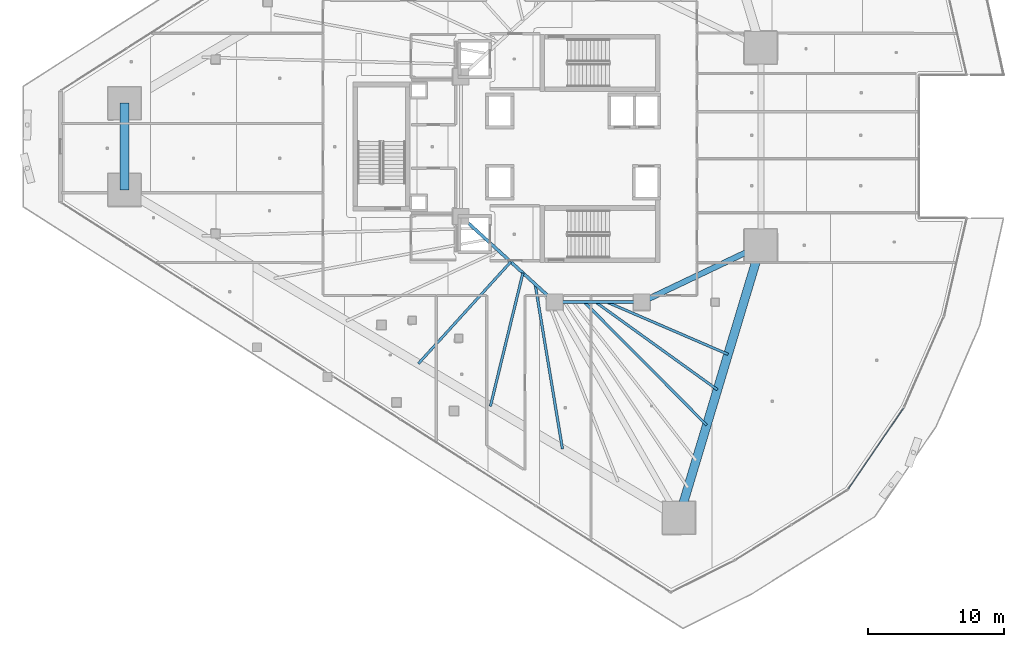
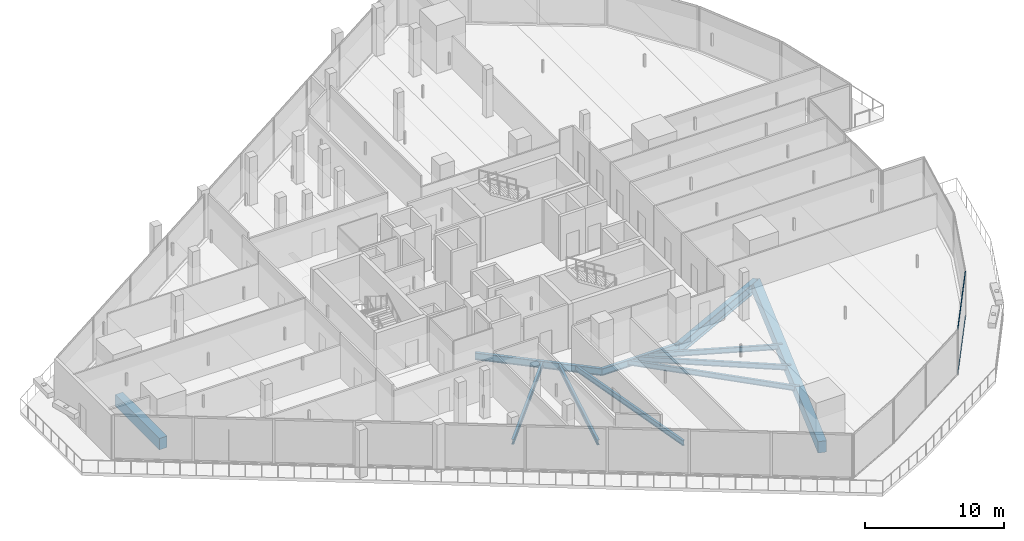
# One storey, part 11 of 44: 11 beams, 2 members, 1 element without a shape of its own.
"""IFC4 building model written with IfcOpenShell, lengths in metres."""

from ifc_helpers import new_model, si_unit, direction, frame, origin, origin_2d, place, context, subcontext, project, spatial, rectangle, hollow_rectangle, i_section, extrude, material, layer, layer_set, material_profile, profile_set, type_object, element, aggregate, save


model = new_model("IFC4")

# Units and contexts
model_context = context("Model", 3, precision=1e-05, world=origin(), true_north=direction((0.0, 1.0)))
body_context = subcontext(model_context, "Body", "Model", "MODEL_VIEW")
ifc_project = project(units=[si_unit("LENGTHUNIT", "METRE"), si_unit("AREAUNIT", "SQUARE_METRE"), si_unit("VOLUMEUNIT", "CUBIC_METRE"), si_unit("PLANEANGLEUNIT", "RADIAN"), si_unit("MASSUNIT", "GRAM", prefix="KILO")], contexts=[model_context])

# Site, building, storey
site_placement = place(None, origin())
site = spatial("IfcSite", under=ifc_project, at=site_placement, CompositionType="ELEMENT")
building_placement = place(site_placement, origin())
building = spatial("IfcBuilding", under=site, at=building_placement, Name="Qorvath Tower", CompositionType="ELEMENT")
storey_placement = place(building_placement, frame((0.0, 0.0, 57.60009765625)))
storey = spatial("IfcBuildingStorey", under=building, at=storey_placement, Name="L12", CompositionType="ELEMENT", Elevation=57.60009765625)

# Beams
ifc_material_1 = material(Name="Steel ASTM A992 Grade 50", Category="steel")
ifc_material_profile_1 = material_profile(ifc_material_1, i_section(OverallWidth=0.422119140625, OverallDepth=0.93310546875, WebThickness=0.021240234375, FlangeThickness=0.039794921875, FilletRadius=0.02392578125, at=origin_2d()), Name="W36x262")
ifc_profile_set_1 = profile_set([ifc_material_profile_1], Name="Steel ASTM A992 Grade 50")
beam_type_1 = type_object("IfcBeamType", Name="BM-FG1", PredefinedType="BEAM", material=ifc_profile_set_1)
beam_1_placement = place(storey_placement, frame((-17.199951171875, -11.449951171875, -0.74658203125), z_axis=(0.902955751435, 0.429733534821, 0.0), x_axis=(-0.429733534821, 0.902955751435, 0.0)))
element("IfcBeam", 1, at=beam_1_placement, inside=storey, type_object=beam_type_1, Name="Radial Floor Girder CC3-MC4 L12", PredefinedType="BEAM", context=body_context, shape_type="SweptSolid", body=[
    extrude(i_section(OverallWidth=0.422119140625, OverallDepth=0.93310546875, WebThickness=0.021240234375, FlangeThickness=0.039794921875, FilletRadius=0.02392578125, at=origin_2d()), origin(), (0.0, 0.0, 1.0), 9.7119140625),
])
ifc_material_2 = material(Name="Steel ASTM A992 Grade 50", Category="steel")
ifc_material_profile_2 = material_profile(ifc_material_2, i_section(OverallWidth=0.22998046875, OverallDepth=0.616943359375, WebThickness=0.01318359375, FlangeThickness=0.022216796875, FilletRadius=0.014892578125, at=origin_2d()), Name="W24x94")
ifc_profile_set_2 = profile_set([ifc_material_profile_2], Name="Steel ASTM A992 Grade 50")
beam_type_2 = type_object("IfcBeamType", Name="BM-FG6", PredefinedType="BEAM", material=ifc_profile_set_2)
beam_2_placement = place(storey_placement, frame((-17.199951171875, -11.449951171875, -0.58837890625), z_axis=(-1.0, 0.0, 0.0), x_axis=(0.0, -1.0, 0.0)))
element("IfcBeam", 2, at=beam_2_placement, inside=storey, type_object=beam_type_2, Name="Core Ring Girder CC3-CC4 L12", PredefinedType="BEAM", context=body_context, shape_type="SweptSolid", body=[
    extrude(i_section(OverallWidth=0.22998046875, OverallDepth=0.616943359375, WebThickness=0.01318359375, FlangeThickness=0.022216796875, FilletRadius=0.014892578125, at=origin_2d()), origin(), (0.0, 0.0, 1.0), 6.400146484375),
])
beam_3_placement = place(storey_placement, frame((-23.60009765625, -11.449951171875, -0.58837890625), z_axis=(-0.73847813985, 0.6742774184, 0.0), x_axis=(-0.6742774184, -0.73847813985, 0.0)))
element("IfcBeam", 3, at=beam_3_placement, inside=storey, type_object=beam_type_2, Name="Core Ring Girder CC4-CC6 L12", PredefinedType="BEAM", context=body_context, shape_type="SweptSolid", body=[
    extrude(i_section(OverallWidth=0.22998046875, OverallDepth=0.616943359375, WebThickness=0.01318359375, FlangeThickness=0.022216796875, FilletRadius=0.014892578125, at=origin_2d()), origin(), (0.0, 0.0, 1.0), 9.343505859375),
])
ifc_material_3 = material(Name="Steel ASTM A992 Grade 50", Category="steel")
ifc_material_profile_3 = material_profile(ifc_material_3, i_section(OverallWidth=0.18994140625, OverallDepth=0.45703125, WebThickness=0.009033203125, FlangeThickness=0.014404296875, FilletRadius=0.011962890625, at=origin_2d()), Name="W18x50")
ifc_profile_set_3 = profile_set([ifc_material_profile_3], Name="Steel ASTM A992 Grade 50")
beam_type_3 = type_object("IfcBeamType", Name="BM-FJ2", PredefinedType="JOIST", material=ifc_profile_set_3)
beam_4_placement = place(storey_placement, frame((-19.760009765625, -11.449951171875, -0.508544921875), z_axis=(0.918135537923, -0.396266493667, 0.0), x_axis=(0.396266493667, 0.918135537923, 0.0)))
element("IfcBeam", 4, at=beam_4_placement, inside=storey, type_object=beam_type_3, Name="Composite Floor Joist SE3 L12", PredefinedType="JOIST", context=body_context, shape_type="SweptSolid", body=[
    extrude(i_section(OverallWidth=0.18994140625, OverallDepth=0.45703125, WebThickness=0.009033203125, FlangeThickness=0.014404296875, FilletRadius=0.011962890625, at=origin_2d()), origin(), (0.0, 0.0, 1.0), 9.7109375),
])
beam_5_placement = place(storey_placement, frame((-20.592041015625, -11.449951171875, -0.508544921875), z_axis=(0.811469358397, -0.584394969505, 0.0), x_axis=(0.584394969505, 0.811469358397, 0.0)))
element("IfcBeam", 5, at=beam_5_placement, inside=storey, type_object=beam_type_3, Name="Composite Floor Joist SE4 L12", PredefinedType="JOIST", context=body_context, shape_type="SweptSolid", body=[
    extrude(i_section(OverallWidth=0.18994140625, OverallDepth=0.45703125, WebThickness=0.009033203125, FlangeThickness=0.014404296875, FilletRadius=0.011962890625, at=origin_2d()), origin(), (0.0, 0.0, 1.0), 11.046142578125),
])
beam_6_placement = place(storey_placement, frame((-21.424072265625, -11.449951171875, -0.508544921875), z_axis=(0.705107654599, -0.709100271771, 0.0), x_axis=(0.709100271771, 0.705107654599, 0.0)))
element("IfcBeam", 6, at=beam_6_placement, inside=storey, type_object=beam_type_3, Name="Composite Floor Joist SE5 L12", PredefinedType="JOIST", context=body_context, shape_type="SweptSolid", body=[
    extrude(i_section(OverallWidth=0.18994140625, OverallDepth=0.45703125, WebThickness=0.009033203125, FlangeThickness=0.014404296875, FilletRadius=0.011962890625, at=origin_2d()), origin(), (0.0, 0.0, 1.0), 12.780029296875),
])
beam_7_placement = place(storey_placement, frame((-26.843017578125, -8.489013671875, -0.508544921875), z_axis=(-0.672128980215, -0.740434084815, 0.0), x_axis=(0.740434084815, -0.672128980215, 0.0)))
element("IfcBeam", 7, at=beam_7_placement, inside=storey, type_object=beam_type_3, Name="Composite Floor Joist SW4 L12", PredefinedType="JOIST", context=body_context, shape_type="SweptSolid", body=[
    extrude(i_section(OverallWidth=0.18994140625, OverallDepth=0.45703125, WebThickness=0.009033203125, FlangeThickness=0.014404296875, FilletRadius=0.011962890625, at=origin_2d()), origin(), (0.0, 0.0, 1.0), 10.1259765625),
])
beam_8_placement = place(storey_placement, frame((-25.946044921875, -9.30810546875, -0.508544921875), z_axis=(-0.237165308581, -0.97146930801, 0.0), x_axis=(0.97146930801, -0.237165308581, 0.0)))
element("IfcBeam", 8, at=beam_8_placement, inside=storey, type_object=beam_type_3, Name="Composite Floor Joist SW5 L12", PredefinedType="JOIST", context=body_context, shape_type="SweptSolid", body=[
    extrude(i_section(OverallWidth=0.18994140625, OverallDepth=0.45703125, WebThickness=0.009033203125, FlangeThickness=0.014404296875, FilletRadius=0.011962890625, at=origin_2d()), origin(), (0.0, 0.0, 1.0), 10.104736328125),
])
beam_9_placement = place(storey_placement, frame((-25.049072265625, -10.126953125, -0.508544921875), z_axis=(0.163639384475, -0.98652022374, 0.0), x_axis=(0.98652022374, 0.163639384475, 0.0)))
element("IfcBeam", 9, at=beam_9_placement, inside=storey, type_object=beam_type_3, Name="Composite Floor Joist SW6 L12", PredefinedType="JOIST", context=body_context, shape_type="SweptSolid", body=[
    extrude(i_section(OverallWidth=0.18994140625, OverallDepth=0.45703125, WebThickness=0.009033203125, FlangeThickness=0.014404296875, FilletRadius=0.011962890625, at=origin_2d()), origin(), (0.0, 0.0, 1.0), 12.301025390625),
])
ifc_material_4 = material(Name="Concrete C50/60", Category="concrete")
ifc_material_profile_4 = material_profile(ifc_material_4, rectangle(XDim=0.64990234375, YDim=1.0, at=origin_2d()), Name="RCB 1000x650")
ifc_profile_set_4 = profile_set([ifc_material_profile_4], Name="Concrete C50/60")
beam_type_4 = type_object("IfcBeamType", Name="BM-RCB1", PredefinedType="SPANDREL", material=ifc_profile_set_4)
beam_10_placement = place(storey_placement, frame((-55.282958984375, 3.194580078125, -0.780029296875), z_axis=(0.0, -1.0, 0.0), x_axis=(1.0, 0.0, 0.0)))
element("IfcBeam", 10, at=beam_10_placement, inside=storey, type_object=beam_type_4, Name="Perimeter Loggia Frame Beam MC1-MC2 L12", PredefinedType="SPANDREL", context=body_context, shape_type="SweptSolid", body=[
    extrude(rectangle(XDim=0.64990234375, YDim=1.0, at=origin_2d()), origin(), (0.0, 0.0, 1.0), 6.38916015625),
])
beam_11_placement = place(storey_placement, frame((-14.46435546875, -27.330810546875, -0.780029296875), z_axis=(0.288118908799, 0.957594639914, 0.0), x_axis=(-0.957594639914, 0.288118908799, 0.0)))
element("IfcBeam", 11, at=beam_11_placement, inside=storey, type_object=beam_type_4, Name="Perimeter Loggia Frame Beam MC3-MC4 L12", PredefinedType="SPANDREL", context=body_context, shape_type="SweptSolid", body=[
    extrude(rectangle(XDim=0.64990234375, YDim=1.0, at=origin_2d()), origin(), (0.0, 0.0, 1.0), 20.942626953125),
])

# Curtain wall, members
ifc_material_5 = material(Name="Anodised aluminium and triple low-E glass", Category="aluminium")
ifc_layer = layer(ifc_material_5, 0.179931640625)
ifc_layer_set = layer_set([ifc_layer], Name="CW-SYS-2")
curtain_wall_type = type_object("IfcCurtainWallType", Name="CW-SYS-2", PredefinedType="NOTDEFINED", material=ifc_layer_set)
curtain_wall_placement = place(storey_placement, origin())
curtain_wall = element("IfcCurtainWall", 12, at=curtain_wall_placement, inside=storey, type_object=curtain_wall_type, Name="Curtain Wall CW-2 CW-T-L12-5.1", PredefinedType="NOTDEFINED")
ifc_material_6 = material(Name="Anodised aluminium 6063-T6", Category="aluminium")
ifc_material_profile_5 = material_profile(ifc_material_6, hollow_rectangle(XDim=0.06494140625, YDim=0.159912109375, WallThickness=0.00341796875, InnerFilletRadius=0.00341796875, OuterFilletRadius=0.007080078125, at=origin_2d()), Name="CWT 160x65")
ifc_profile_set_5 = profile_set([ifc_material_profile_5], Name="Anodised aluminium 6063-T6")
member_type = type_object("IfcMemberType", Name="CWT-160", PredefinedType="USERDEFINED", material=ifc_profile_set_5)
member_1_placement = place(storey_placement, frame((-1.99365234375, -25.22021484375, 0.032470703125), z_axis=(0.563963891328, 0.825799448582, 0.0), x_axis=(-0.825799448582, 0.563963891328, 0.0)))
member_1 = element("IfcMember", 13, at=member_1_placement, type_object=member_type, Name="CW-2 transom 1.1", ObjectType="TRANSOM", PredefinedType="USERDEFINED", context=body_context, shape_type="SweptSolid", body=[
    extrude(hollow_rectangle(XDim=0.06494140625, YDim=0.159912109375, WallThickness=0.00341796875, InnerFilletRadius=0.00341796875, OuterFilletRadius=0.007080078125, at=origin_2d()), origin(), (0.0, 0.0, 1.0), 7.234619140625),
])
member_2_placement = place(storey_placement, frame((-1.99365234375, -25.22021484375, 3.887451171875), z_axis=(0.563963891328, 0.825799448582, 0.0), x_axis=(-0.825799448582, 0.563963891328, 0.0)))
member_2 = element("IfcMember", 14, at=member_2_placement, type_object=member_type, Name="CW-2 transom 1.2", ObjectType="TRANSOM", PredefinedType="USERDEFINED", context=body_context, shape_type="SweptSolid", body=[
    extrude(hollow_rectangle(XDim=0.06494140625, YDim=0.159912109375, WallThickness=0.00341796875, InnerFilletRadius=0.00341796875, OuterFilletRadius=0.007080078125, at=origin_2d()), origin(), (0.0, 0.0, 1.0), 7.234619140625),
])
aggregate(curtain_wall, [member_1, member_2])

save(model, "model.ifc")
